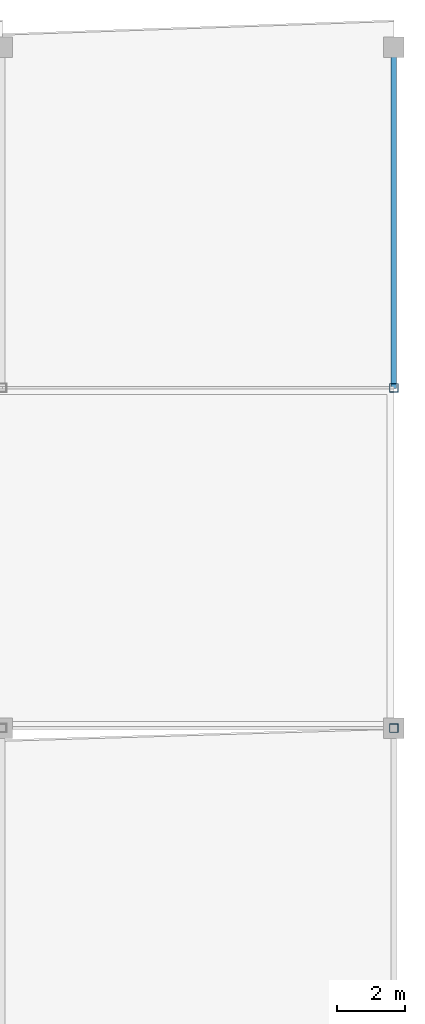
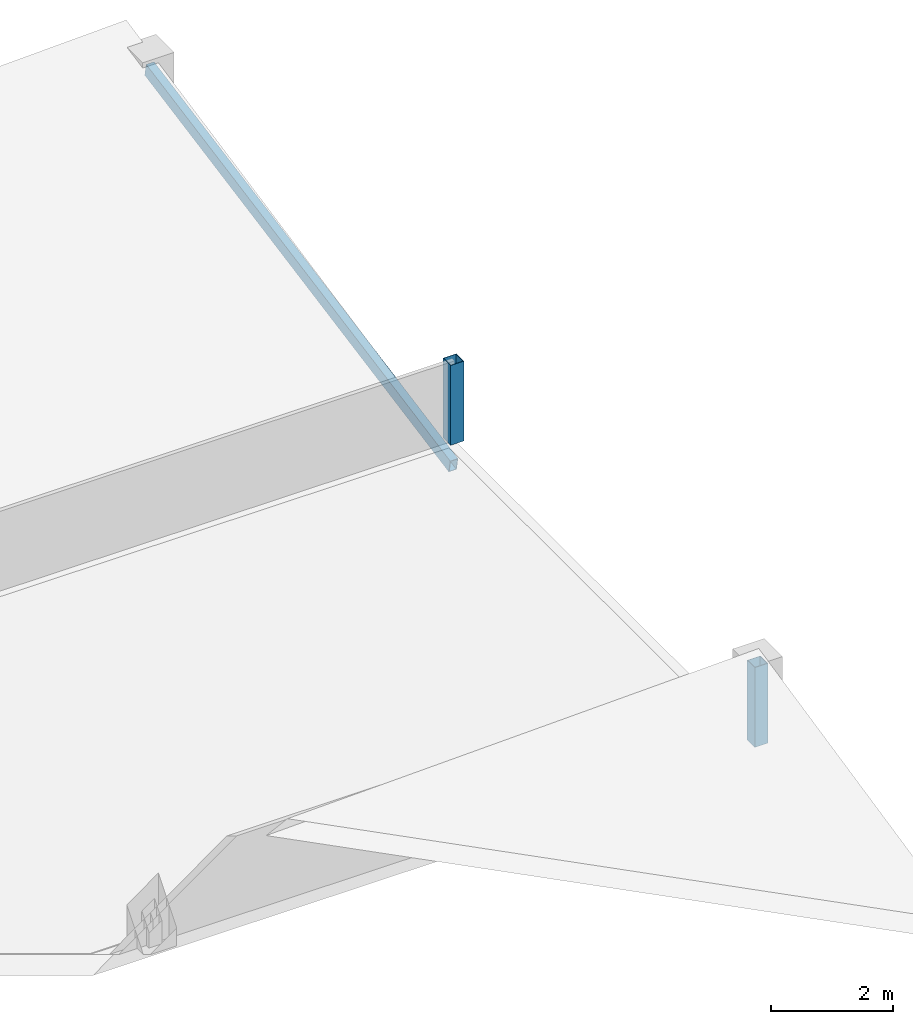
# One storey, part 4 of 6: 3 members.
"""IFC4 building model written with IfcOpenShell, lengths in metres."""

from ifc_helpers import new_model, si_unit, direction, frame, origin, origin_2d, place, context, subcontext, project, spatial, hollow_rectangle, extrude, material, material_profile, profile_set, type_object, element, save


model = new_model("IFC4")

# Units and contexts
model_context = context("Model", 3, precision=1e-05, world=origin(), true_north=direction((0.0, 1.0)))
body_context = subcontext(model_context, "Body", "Model", "MODEL_VIEW")
ifc_project = project(units=[si_unit("LENGTHUNIT", "METRE"), si_unit("AREAUNIT", "SQUARE_METRE"), si_unit("VOLUMEUNIT", "CUBIC_METRE"), si_unit("PLANEANGLEUNIT", "RADIAN"), si_unit("MASSUNIT", "GRAM", prefix="KILO")], contexts=[model_context])

# Site, building, storey
site_placement = place(None, origin())
site = spatial("IfcSite", under=ifc_project, at=site_placement, CompositionType="ELEMENT")
building_placement = place(site_placement, origin())
building = spatial("IfcBuilding", under=site, at=building_placement, Name="Ologun Quay Terminus", CompositionType="ELEMENT")
storey_placement = place(building_placement, frame((0.0, 0.0, 26.89990234375)))
storey = spatial("IfcBuildingStorey", under=building, at=storey_placement, Name="ROOF", CompositionType="ELEMENT", Elevation=26.89990234375)

# Members
ifc_material_1 = material(Name="Steel S355", Category="steel")
ifc_material_profile_1 = material_profile(ifc_material_1, hollow_rectangle(XDim=0.25, YDim=0.25, WallThickness=0.010009765625, at=origin_2d()), Name="SHS 250x250x10")
ifc_profile_set_1 = profile_set([ifc_material_profile_1], Name="Steel S355")
member_type_1 = type_object("IfcMemberType", Name="Crown Plant Screen Frame Post SHS250", PredefinedType="STRUT", material=ifc_profile_set_1)
for number, where, z_axis, x_axis, name in (
    (1, (149.5, 94.800048828125, 0.0), (0.0, 0.0, 1.0), (1.0, 0.0, 0.0), "CP1 Plant Screen Post 149-94"),
    (2, (149.5, 104.800048828125, 0.0), (0.0, 0.0, 1.0), (1.0, 0.0, 0.0), "CP1 Plant Screen Post 149-104"),
):
    element("IfcMember", number, at=place(storey_placement, frame(where, z_axis=z_axis, x_axis=x_axis)), inside=storey, type_object=member_type_1, Name=name, PredefinedType="STRUT", context=body_context, shape_type="SweptSolid", body=[
        extrude(hollow_rectangle(XDim=0.25, YDim=0.25, WallThickness=0.010009765625, at=origin_2d()), origin(), (0.0, 0.0, 1.0), 1.60009765625),
    ])
ifc_material_2 = material(Name="Steel S355", Category="steel")
ifc_material_profile_2 = material_profile(ifc_material_2, hollow_rectangle(XDim=0.14990234375, YDim=0.25, WallThickness=0.008056640625, at=origin_2d()), Name="RHS 250x150x8")
ifc_profile_set_2 = profile_set([ifc_material_profile_2], Name="Steel S355")
member_type_2 = type_object("IfcMemberType", Name="Skylight Longitudinal Glazing Bar RHS200", PredefinedType="PURLIN", material=ifc_profile_set_2)
member_placement = place(storey_placement, frame((149.5, 104.800048828125, -0.519287109375), z_axis=(0.0, 0.982426211006, 0.186651386085), x_axis=(-1.0, 0.0, 0.0)))
element("IfcMember", 3, at=member_placement, inside=storey, type_object=member_type_2, Name="SK1 Inclined Roof Rafter ROOF-EWNG-14-JK", PredefinedType="PURLIN", context=body_context, shape_type="SweptSolid", body=[
    extrude(hollow_rectangle(XDim=0.14990234375, YDim=0.25, WallThickness=0.008056640625, at=origin_2d()), origin(), (0.0, 0.0, 1.0), 10.178955078125),
])

save(model, "model.ifc")
